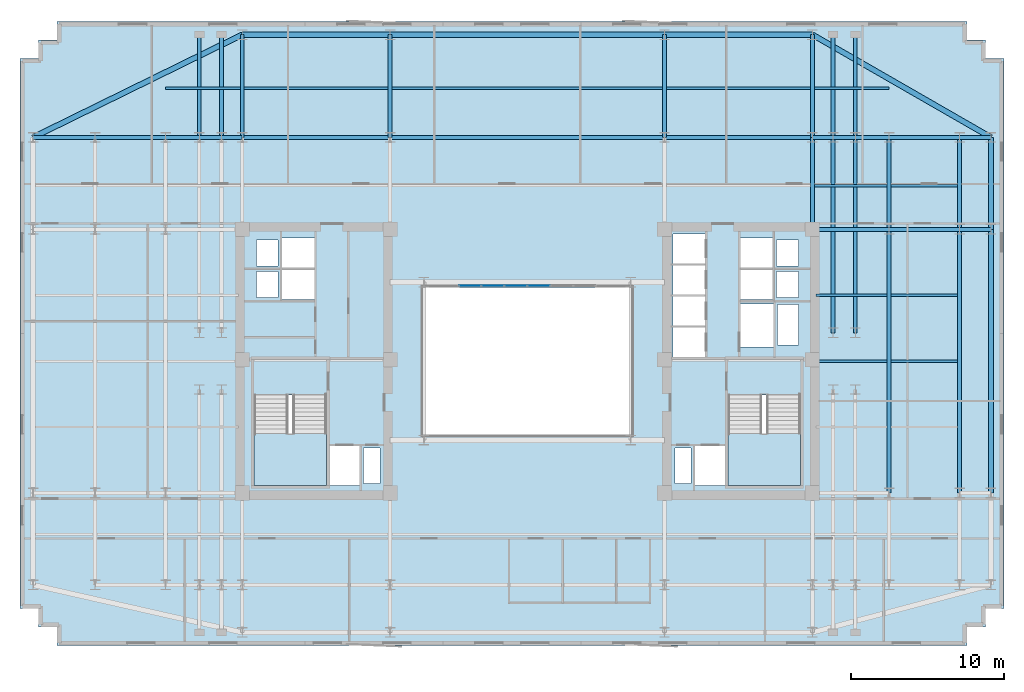
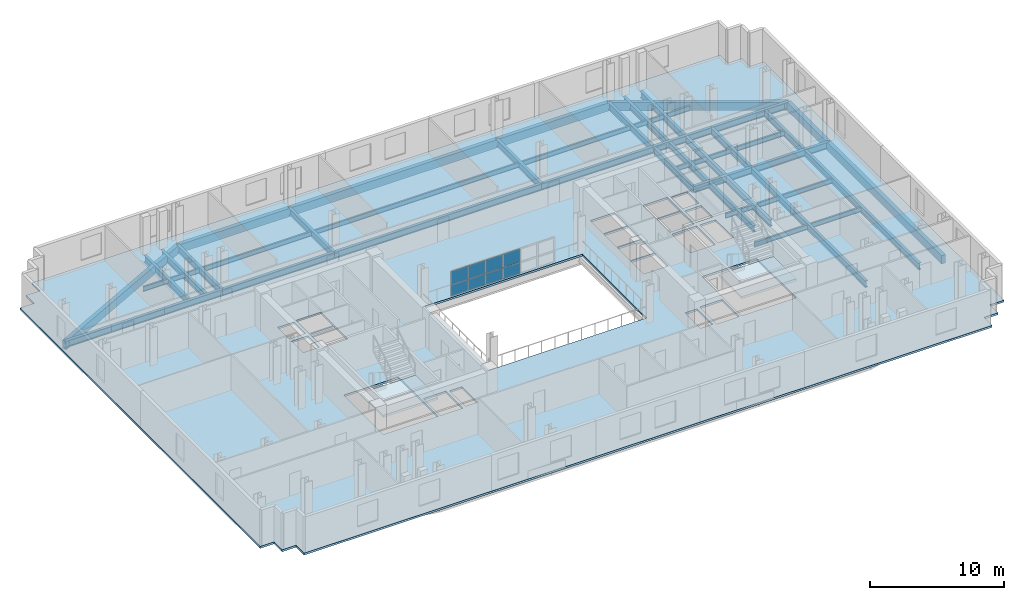
# One storey, part 5 of 12: 45 beams, 8 plates, 3 slabs, 3 elements without a shape of their own.
"""IFC4 building model written with IfcOpenShell, lengths in metres."""

import ifcopenshell
import ifcopenshell.guid

model = None  # the IFC model being written
_history = None  # IfcOwnerHistory: only IFC2X3 demands one
_inside = {}  # id of a spatial element -> (the spatial element, [elements in it])
_under = {}  # id of a project, library or spatial element -> (it, [spatial elements below it])
_declared = {}  # id of a project -> (the project, [libraries it declares])
_typed = {}  # id of a type object -> (the type object, [elements of that type])
_made_of = {}  # id of a material, layer set ... -> (it, [elements and type objects made of it])


def new_model(schema):
    """Start an empty IFC model of exactly this schema.

    Asked for "IFC4X3", IfcOpenShell would pick the latest addendum, in which some entities
    have other attributes; the version numbers below select the first issue.
    IFC2X3 requires an IfcOwnerHistory on every rooted entity: one is made here for all.
    """
    global model, _history
    if schema == "IFC4X3":
        model = ifcopenshell.file(schema_version=(4, 3, 0, 0))
    else:
        model = ifcopenshell.file(schema=schema)
    _inside.clear()
    _under.clear()
    _declared.clear()
    _typed.clear()
    _made_of.clear()
    _history = None
    if model.schema == "IFC2X3":
        org = make("IfcOrganization", Name="unknown")
        user = make(
            "IfcPersonAndOrganization",
            ThePerson=make("IfcPerson", FamilyName="unknown"),
            TheOrganization=org,
        )
        app = make(
            "IfcApplication",
            ApplicationDeveloper=org,
            Version="unknown",
            ApplicationFullName="unknown",
            ApplicationIdentifier="unknown",
        )
        _history = make(
            "IfcOwnerHistory",
            OwningUser=user,
            OwningApplication=app,
            ChangeAction="ADDED",
            CreationDate=0,
        )
    return model


def make(cls, **values):
    """One entity of the class cls with the attributes given. An attribute that is None is left unset."""
    return model.create_entity(
        cls, **{name: value for name, value in values.items() if value is not None}
    )


def rooted(cls, **values):
    """An entity with a GlobalId (a new one), such as an element, a storey or a relation."""
    return make(cls, GlobalId=ifcopenshell.guid.new(), OwnerHistory=_history, **values)


def si_unit(unit_type, name, prefix=None):
    """IfcSIUnit, for example si_unit("LENGTHUNIT", "METRE", prefix="MILLI")."""
    return make("IfcSIUnit", UnitType=unit_type, Prefix=prefix, Name=name)


def assignment(units):
    """IfcUnitAssignment: the units of a project."""
    return None if units is None else make("IfcUnitAssignment", Units=units)


def point(xyz):
    """IfcCartesianPoint."""
    return None if xyz is None else make("IfcCartesianPoint", Coordinates=xyz)


def direction(xyz):
    """IfcDirection."""
    return None if xyz is None else make("IfcDirection", DirectionRatios=xyz)


def frame(location, z_axis=None, x_axis=None):
    """IfcAxis2Placement3D, a coordinate frame: its origin and axes. An axis left out is left unset."""
    return make(
        "IfcAxis2Placement3D",
        Location=point(location),
        Axis=direction(z_axis),
        RefDirection=direction(x_axis),
    )


def frame_2d(location, x_axis=None):
    """IfcAxis2Placement2D, a coordinate frame in the plane: its origin and x axis."""
    return make(
        "IfcAxis2Placement2D", Location=point(location), RefDirection=direction(x_axis)
    )


def origin():
    """The frame at (0, 0, 0) with its axes left unset."""
    return frame((0.0, 0.0, 0.0))


def origin_2d():
    """The frame at (0, 0) in the plane with its x axis left unset."""
    return frame_2d((0.0, 0.0))


def place(relative_to, where):
    """IfcLocalPlacement: puts the frame where relative to a parent placement (None: the world)."""
    return make(
        "IfcLocalPlacement", PlacementRelTo=relative_to, RelativePlacement=where
    )


def context(
    kind, dimensions, precision=None, world=None, true_north=None, identifier=None
):
    """IfcGeometricRepresentationContext, for example the 3D "Model" context."""
    return make(
        "IfcGeometricRepresentationContext",
        ContextIdentifier=identifier,
        ContextType=kind,
        CoordinateSpaceDimension=dimensions,
        Precision=precision,
        WorldCoordinateSystem=world,
        TrueNorth=true_north,
    )


def subcontext(parent, identifier, kind, view, scale=None):
    """IfcGeometricRepresentationSubContext, for example "Body" below "Model"."""
    return make(
        "IfcGeometricRepresentationSubContext",
        ContextIdentifier=identifier,
        ContextType=kind,
        ParentContext=parent,
        TargetScale=scale,
        TargetView=view,
    )


def project(units=None, contexts=None):
    """IfcProject with its units and contexts."""
    return rooted(
        "IfcProject",
        Name="project",
        RepresentationContexts=contexts,
        UnitsInContext=assignment(units),
    )


def spatial(cls, under=None, at=None, **own):
    """A site, building, storey or space (cls), placed at a placement, below another one or the project."""
    s = rooted(cls, ObjectPlacement=at, **own)
    if under is not None:
        _under.setdefault(under.id(), (under, []))[1].append(s)
    return s


def polyline(points):
    """IfcPolyline through the points."""
    return make("IfcPolyline", Points=[point(p) for p in points])


def profile(cls, at=None, kind="AREA", **sizes):
    """A parametric profile (cls). Its sizes go by their IFC names, for example OverallWidth=200.0."""
    return make(cls, ProfileType=kind, Position=at, **sizes)


def rectangle(**sizes):
    """IfcRectangleProfileDef."""
    return profile("IfcRectangleProfileDef", **sizes)


def i_section(**sizes):
    """IfcIShapeProfileDef."""
    return profile("IfcIShapeProfileDef", **sizes)


def outline(outer, holes=None, kind="AREA"):
    """IfcArbitraryClosedProfileDef: a profile drawn as a closed curve; with holes, ...WithVoids."""
    if holes is None:
        return make("IfcArbitraryClosedProfileDef", ProfileType=kind, OuterCurve=outer)
    return make(
        "IfcArbitraryProfileDefWithVoids",
        ProfileType=kind,
        OuterCurve=outer,
        InnerCurves=holes,
    )


def extrude(swept, where, along, depth):
    """IfcExtrudedAreaSolid: the profile swept, set in the frame where, extruded along a direction by depth."""
    return make(
        "IfcExtrudedAreaSolid",
        SweptArea=swept,
        Position=where,
        ExtrudedDirection=direction(along),
        Depth=depth,
    )


def shape(context_of_items, identifier, shape_type, items):
    """IfcShapeRepresentation: the items that make up one representation, for example the "Body"."""
    return make(
        "IfcShapeRepresentation",
        ContextOfItems=context_of_items,
        RepresentationIdentifier=identifier,
        RepresentationType=shape_type,
        Items=items,
    )


def material(Name=None, Category=None):
    """IfcMaterial."""
    return make("IfcMaterial", Name=Name, Category=Category)


def layer(
    of_material, thickness, ventilated=None, Name=None, Category=None, Priority=None
):
    """IfcMaterialLayer: one layer of a wall or slab, of a material (None: an air gap)."""
    return make(
        "IfcMaterialLayer",
        Material=of_material,
        LayerThickness=thickness,
        IsVentilated=ventilated,
        Name=Name,
        Category=Category,
        Priority=Priority,
    )


def layer_set(layers, Name=None):
    """IfcMaterialLayerSet."""
    return make("IfcMaterialLayerSet", MaterialLayers=layers, LayerSetName=Name)


def material_profile(
    of_material, cross_section, Name=None, Category=None, Priority=None
):
    """IfcMaterialProfile: a cross section and its material."""
    return make(
        "IfcMaterialProfile",
        Name=Name,
        Material=of_material,
        Profile=cross_section,
        Priority=Priority,
        Category=Category,
    )


def profile_set(profiles, Name=None, composite=None):
    """IfcMaterialProfileSet."""
    return make(
        "IfcMaterialProfileSet",
        Name=Name,
        MaterialProfiles=profiles,
        CompositeProfile=composite,
    )


def made_of(thing, what):
    """Note that an element or type object is made of a material, layer set ...; save() writes the relation."""
    if what is not None:
        _made_of.setdefault(what.id(), (what, []))[1].append(thing)
    return thing


def type_object(cls, material=None, **own):
    """A type object (cls), such as IfcWallType, which elements share."""
    return made_of(rooted(cls, **own), material)


def element(
    cls,
    number,
    at=None,
    inside=None,
    cuts=None,
    type_object=None,
    material=None,
    context=None,
    identifier="Body",
    shape_type=None,
    held_by="IfcProductDefinitionShape",
    body=None,
    shapes=None,
    **own,
):
    """One element of the class cls, such as IfcWall. Its Tag is "e" and its number.

    at: its placement. inside: the storey or other place that contains it. cuts: it is an
    opening in that element (IfcRelVoidsElement). A single representation is given by context,
    identifier, shape_type and body (its items); several are given by shapes. held_by: the class
    of the entity that holds the representations. save() writes the other relations.
    """
    e = rooted(cls, Tag="e%d" % number, ObjectPlacement=at, **own)
    if body is not None:
        shapes = [shape(context, identifier, shape_type, body)]
    if shapes is not None:
        e.Representation = make(held_by, Representations=shapes)
    if inside is not None:
        _inside.setdefault(inside.id(), (inside, []))[1].append(e)
    if cuts is not None:
        rooted(
            "IfcRelVoidsElement", RelatingBuildingElement=cuts, RelatedOpeningElement=e
        )
    if type_object is not None:
        _typed.setdefault(type_object.id(), (type_object, []))[1].append(e)
    return made_of(e, material)


def aggregate(whole, parts):
    """IfcRelAggregates: a whole, such as a stair, and the parts it consists of."""
    return rooted("IfcRelAggregates", RelatingObject=whole, RelatedObjects=parts)


def save(model, path):
    """Write the relations noted so far, then the file.

    IfcRelAggregates (storeys below a building ...), IfcRelContainedInSpatialStructure (elements
    in a storey), IfcRelDefinesByType, IfcRelAssociatesMaterial and IfcRelDeclares: one each for
    every whole, place, type object, material and project.
    """
    for whole, parts in _under.values():
        aggregate(whole, parts)
    for where, things in _inside.values():
        rooted(
            "IfcRelContainedInSpatialStructure",
            RelatedElements=things,
            RelatingStructure=where,
        )
    for kind, things in _typed.values():
        rooted("IfcRelDefinesByType", RelatedObjects=things, RelatingType=kind)
    for what, things in _made_of.values():
        rooted("IfcRelAssociatesMaterial", RelatedObjects=things, RelatingMaterial=what)
    for by, libraries in _declared.values():
        rooted("IfcRelDeclares", RelatingContext=by, RelatedDefinitions=libraries)
    model.write(path)


model = new_model("IFC4")

# Units and contexts
model_context = context("Model", 3, precision=1e-05, world=origin(), true_north=direction((0.0, 1.0)))
body_context = subcontext(model_context, "Body", "Model", "MODEL_VIEW")
ifc_project = project(units=[si_unit("LENGTHUNIT", "METRE"), si_unit("AREAUNIT", "SQUARE_METRE"), si_unit("VOLUMEUNIT", "CUBIC_METRE"), si_unit("PLANEANGLEUNIT", "RADIAN"), si_unit("MASSUNIT", "GRAM", prefix="KILO")], contexts=[model_context])

# Site, building, storey
site_placement = place(None, origin())
site = spatial("IfcSite", under=ifc_project, at=site_placement, CompositionType="ELEMENT")
building_placement = place(site_placement, origin())
building = spatial("IfcBuilding", under=site, at=building_placement, Name="Velakula Bourse", CompositionType="ELEMENT")
storey_placement = place(building_placement, frame((0.0, 0.0, 148.449951171875)))
storey = spatial("IfcBuildingStorey", under=building, at=storey_placement, Name="L40", CompositionType="ELEMENT", Elevation=148.449951171875)

# Beams
ifc_material_1 = material(Name="Steel IS 2062 Grade 350 (E350)", Category="steel")
ifc_material_profile_1 = material_profile(ifc_material_1, i_section(OverallWidth=0.25, OverallDepth=0.60009765625, WebThickness=0.01123046875, FlangeThickness=0.021240234375, at=origin_2d()), Name="Steel IS 2062 Grade 350 (E350)")
ifc_profile_set_1 = profile_set([ifc_material_profile_1], Name="Steel IS 2062 Grade 350 (E350)")
beam_type_1 = type_object("IfcBeamType", Name="BM-GRD-600M", PredefinedType="BEAM", material=ifc_profile_set_1)
beam_1_placement = place(storey_placement, frame((18.60009765625, 8.60009765625, -0.47998046875), z_axis=(0.0, 1.0, 0.0), x_axis=(-1.0, 0.0, 0.0)))
element("IfcBeam", 1, at=beam_1_placement, inside=storey, type_object=beam_type_1, Name="L40 Fulcrum Grid Girder FLC-EN", PredefinedType="BEAM", context=body_context, shape_type="SweptSolid", body=[
    extrude(i_section(OverallWidth=0.25, OverallDepth=0.60009765625, WebThickness=0.01123046875, FlangeThickness=0.021240234375, at=origin_2d()), origin(), (0.0, 0.0, 1.0), 6.0),
])
beam_2_placement = place(storey_placement, frame((-18.60009765625, 14.60009765625, -0.47998046875), z_axis=(1.0, 0.0, 0.0), x_axis=(0.0, 1.0, 0.0)))
element("IfcBeam", 2, at=beam_2_placement, inside=storey, type_object=beam_type_1, Name="L40 Fulcrum Grid Girder FLC-N1", PredefinedType="BEAM", context=body_context, shape_type="SweptSolid", body=[
    extrude(i_section(OverallWidth=0.25, OverallDepth=0.60009765625, WebThickness=0.01123046875, FlangeThickness=0.021240234375, at=origin_2d()), origin(), (0.0, 0.0, 1.0), 9.650146484375),
])
beam_3_placement = place(storey_placement, frame((-8.949951171875, 14.60009765625, -0.47998046875), z_axis=(1.0, 0.0, 0.0), x_axis=(0.0, 1.0, 0.0)))
element("IfcBeam", 3, at=beam_3_placement, inside=storey, type_object=beam_type_1, Name="L40 Fulcrum Grid Girder FLC-N2", PredefinedType="BEAM", context=body_context, shape_type="SweptSolid", body=[
    extrude(i_section(OverallWidth=0.25, OverallDepth=0.60009765625, WebThickness=0.01123046875, FlangeThickness=0.021240234375, at=origin_2d()), origin(), (0.0, 0.0, 1.0), 17.89990234375),
])
beam_4_placement = place(storey_placement, frame((8.949951171875, 14.60009765625, -0.47998046875), z_axis=(1.0, 0.0, 0.0), x_axis=(0.0, 1.0, 0.0)))
element("IfcBeam", 4, at=beam_4_placement, inside=storey, type_object=beam_type_1, Name="L40 Fulcrum Grid Girder FLC-N3", PredefinedType="BEAM", context=body_context, shape_type="SweptSolid", body=[
    extrude(i_section(OverallWidth=0.25, OverallDepth=0.60009765625, WebThickness=0.01123046875, FlangeThickness=0.021240234375, at=origin_2d()), origin(), (0.0, 0.0, 1.0), 9.650146484375),
])
for number, where, z_axis, x_axis, name in (
    (5, (19.949951171875, 1.85009765625, -0.47998046875), (0.0, 1.0, 0.0), (-1.0, 0.0, 0.0), "L40 Fulcrum Grid Girder FLC-PNE1"),
    (6, (21.39990234375, 1.85009765625, -0.47998046875), (0.0, 1.0, 0.0), (-1.0, 0.0, 0.0), "L40 Fulcrum Grid Girder FLC-PNE2"),
):
    element("IfcBeam", number, at=place(storey_placement, frame(where, z_axis=z_axis, x_axis=x_axis)), inside=storey, type_object=beam_type_1, Name=name, PredefinedType="BEAM", context=body_context, shape_type="SweptSolid", body=[
        extrude(i_section(OverallWidth=0.25, OverallDepth=0.60009765625, WebThickness=0.01123046875, FlangeThickness=0.021240234375, at=origin_2d()), origin(), (0.0, 0.0, 1.0), 12.75),
    ])
for number, where, z_axis, x_axis, name in (
    (7, (-23.60009765625, 14.60009765625, -0.47998046875), (1.0, 0.0, 0.0), (0.0, 1.0, 0.0), "L40 Fulcrum Grid Girder MWG-WN2"),
    (8, (18.60009765625, 8.60009765625, -0.47998046875), (1.0, 0.0, 0.0), (0.0, 1.0, 0.0), "L40 Fulcrum Grid Girder MWG-EN1"),
    (9, (18.60009765625, 14.60009765625, -0.47998046875), (1.0, 0.0, 0.0), (0.0, 1.0, 0.0), "L40 Fulcrum Grid Girder MWG-EN2"),
):
    element("IfcBeam", number, at=place(storey_placement, frame(where, z_axis=z_axis, x_axis=x_axis)), inside=storey, type_object=beam_type_1, Name=name, PredefinedType="BEAM", context=body_context, shape_type="SweptSolid", body=[
        extrude(i_section(OverallWidth=0.25, OverallDepth=0.60009765625, WebThickness=0.01123046875, FlangeThickness=0.021240234375, at=origin_2d()), origin(), (0.0, 0.0, 1.0), 5.0),
    ])
beam_5_placement = place(storey_placement, frame((23.60009765625, -8.60009765625, -0.47998046875), z_axis=(0.0, 1.0, 0.0), x_axis=(-1.0, 0.0, 0.0)))
element("IfcBeam", 10, at=beam_5_placement, inside=storey, type_object=beam_type_1, Name="L40 Fulcrum Grid Girder MWG-ENS2", PredefinedType="BEAM", context=body_context, shape_type="SweptSolid", body=[
    extrude(i_section(OverallWidth=0.25, OverallDepth=0.60009765625, WebThickness=0.01123046875, FlangeThickness=0.021240234375, at=origin_2d()), origin(), (0.0, 0.0, 1.0), 17.2001953125),
])
beam_6_placement = place(storey_placement, frame((23.60009765625, 8.60009765625, -0.47998046875), z_axis=(0.0, 1.0, 0.0), x_axis=(-1.0, 0.0, 0.0)))
element("IfcBeam", 11, at=beam_6_placement, inside=storey, type_object=beam_type_1, Name="L40 Fulcrum Grid Girder MWG-ENS3", PredefinedType="BEAM", context=body_context, shape_type="SweptSolid", body=[
    extrude(i_section(OverallWidth=0.25, OverallDepth=0.60009765625, WebThickness=0.01123046875, FlangeThickness=0.021240234375, at=origin_2d()), origin(), (0.0, 0.0, 1.0), 6.0),
])
for number, where, z_axis, x_axis, name in (
    (12, (-28.199951171875, 14.60009765625, -0.47998046875), (1.0, 0.0, 0.0), (0.0, 1.0, 0.0), "L40 Fulcrum Grid Girder WNG-WN2"),
    (13, (23.60009765625, 8.60009765625, -0.47998046875), (1.0, 0.0, 0.0), (0.0, 1.0, 0.0), "L40 Fulcrum Grid Girder WNG-EN1"),
    (14, (23.60009765625, 14.60009765625, -0.47998046875), (1.0, 0.0, 0.0), (0.0, 1.0, 0.0), "L40 Fulcrum Grid Girder WNG-EN2"),
):
    element("IfcBeam", number, at=place(storey_placement, frame(where, z_axis=z_axis, x_axis=x_axis)), inside=storey, type_object=beam_type_1, Name=name, PredefinedType="BEAM", context=body_context, shape_type="SweptSolid", body=[
        extrude(i_section(OverallWidth=0.25, OverallDepth=0.60009765625, WebThickness=0.01123046875, FlangeThickness=0.021240234375, at=origin_2d()), origin(), (0.0, 0.0, 1.0), 4.599853515625),
    ])
beam_7_placement = place(storey_placement, frame((28.199951171875, -8.60009765625, -0.47998046875), z_axis=(0.0, 1.0, 0.0), x_axis=(-1.0, 0.0, 0.0)))
element("IfcBeam", 15, at=beam_7_placement, inside=storey, type_object=beam_type_1, Name="L40 Fulcrum Grid Girder WNG-ENS2", PredefinedType="BEAM", context=body_context, shape_type="SweptSolid", body=[
    extrude(i_section(OverallWidth=0.25, OverallDepth=0.60009765625, WebThickness=0.01123046875, FlangeThickness=0.021240234375, at=origin_2d()), origin(), (0.0, 0.0, 1.0), 17.2001953125),
])
beam_8_placement = place(storey_placement, frame((28.199951171875, 8.60009765625, -0.47998046875), z_axis=(0.0, 1.0, 0.0), x_axis=(-1.0, 0.0, 0.0)))
element("IfcBeam", 16, at=beam_8_placement, inside=storey, type_object=beam_type_1, Name="L40 Fulcrum Grid Girder WNG-ENS3", PredefinedType="BEAM", context=body_context, shape_type="SweptSolid", body=[
    extrude(i_section(OverallWidth=0.25, OverallDepth=0.60009765625, WebThickness=0.01123046875, FlangeThickness=0.021240234375, at=origin_2d()), origin(), (0.0, 0.0, 1.0), 6.0),
])
for number, where, z_axis, x_axis, name in (
    (17, (-18.60009765625, 14.60009765625, -0.47998046875), (0.0, 1.0, 0.0), (-1.0, 0.0, 0.0), "L40 Perimeter Tie Girder N1"),
    (18, (-8.949951171875, 14.60009765625, -0.47998046875), (0.0, 1.0, 0.0), (-1.0, 0.0, 0.0), "L40 Perimeter Tie Girder N2"),
    (19, (8.949951171875, 14.60009765625, -0.47998046875), (0.0, 1.0, 0.0), (-1.0, 0.0, 0.0), "L40 Perimeter Tie Girder N3"),
    (20, (18.60009765625, 14.60009765625, -0.47998046875), (0.0, 1.0, 0.0), (-1.0, 0.0, 0.0), "L40 Perimeter Tie Girder N4"),
):
    element("IfcBeam", number, at=place(storey_placement, frame(where, z_axis=z_axis, x_axis=x_axis)), inside=storey, type_object=beam_type_1, Name=name, PredefinedType="BEAM", context=body_context, shape_type="SweptSolid", body=[
        extrude(i_section(OverallWidth=0.25, OverallDepth=0.60009765625, WebThickness=0.01123046875, FlangeThickness=0.021240234375, at=origin_2d()), origin(), (0.0, 0.0, 1.0), 6.699951171875),
    ])
beam_9_placement = place(storey_placement, frame((-28.199951171875, 14.60009765625, -0.47998046875), z_axis=(-1.0, 0.0, 0.0), x_axis=(0.0, -1.0, 0.0)))
element("IfcBeam", 21, at=beam_9_placement, inside=storey, type_object=beam_type_1, Name="L40 Perimeter Tie Girder W4", PredefinedType="BEAM", context=body_context, shape_type="SweptSolid", body=[
    extrude(i_section(OverallWidth=0.25, OverallDepth=0.60009765625, WebThickness=0.01123046875, FlangeThickness=0.021240234375, at=origin_2d()), origin(), (0.0, 0.0, 1.0), 4.050048828125),
])
for number, where, z_axis, x_axis, name in (
    (22, (28.199951171875, 8.60009765625, -0.47998046875), (1.0, 0.0, 0.0), (0.0, 1.0, 0.0), "L40 Perimeter Tie Girder E3"),
    (23, (28.199951171875, 14.60009765625, -0.47998046875), (1.0, 0.0, 0.0), (0.0, 1.0, 0.0), "L40 Perimeter Tie Girder E4"),
):
    element("IfcBeam", number, at=place(storey_placement, frame(where, z_axis=z_axis, x_axis=x_axis)), inside=storey, type_object=beam_type_1, Name=name, PredefinedType="BEAM", context=body_context, shape_type="SweptSolid", body=[
        extrude(i_section(OverallWidth=0.25, OverallDepth=0.60009765625, WebThickness=0.01123046875, FlangeThickness=0.021240234375, at=origin_2d()), origin(), (0.0, 0.0, 1.0), 2.050048828125),
    ])
for number, where, z_axis, x_axis, name in (
    (24, (-21.39990234375, 14.60009765625, -0.47998046875), (0.0, 1.0, 0.0), (-1.0, 0.0, 0.0), "L40 Perimeter Tie Girder P05"),
    (25, (-19.949951171875, 14.60009765625, -0.47998046875), (0.0, 1.0, 0.0), (-1.0, 0.0, 0.0), "L40 Perimeter Tie Girder P06"),
    (26, (19.949951171875, 14.60009765625, -0.47998046875), (0.0, 1.0, 0.0), (-1.0, 0.0, 0.0), "L40 Perimeter Tie Girder P07"),
    (27, (21.39990234375, 14.60009765625, -0.47998046875), (0.0, 1.0, 0.0), (-1.0, 0.0, 0.0), "L40 Perimeter Tie Girder P08"),
):
    element("IfcBeam", number, at=place(storey_placement, frame(where, z_axis=z_axis, x_axis=x_axis)), inside=storey, type_object=beam_type_1, Name=name, PredefinedType="BEAM", context=body_context, shape_type="SweptSolid", body=[
        extrude(i_section(OverallWidth=0.25, OverallDepth=0.60009765625, WebThickness=0.01123046875, FlangeThickness=0.021240234375, at=origin_2d()), origin(), (0.0, 0.0, 1.0), 6.699951171875),
    ])
ifc_material_profile_2 = material_profile(ifc_material_1, i_section(OverallWidth=0.14990234375, OverallDepth=0.449951171875, WebThickness=0.009521484375, FlangeThickness=0.017333984375, at=origin_2d()), Name="Steel IS 2062 Grade 350 (E350)")
ifc_profile_set_2 = profile_set([ifc_material_profile_2], Name="Steel IS 2062 Grade 350 (E350)")
beam_type_2 = type_object("IfcBeamType", Name="JST-TWR-450", PredefinedType="JOIST", material=ifc_profile_set_2)
beam_10_placement = place(storey_placement, frame((18.72509765625, 11.449951171875, -0.405029296875), z_axis=(1.0, 0.0, 0.0), x_axis=(0.0, 1.0, 0.0)))
element("IfcBeam", 28, at=beam_10_placement, inside=storey, type_object=beam_type_2, Name="L40 Trading Floor Composite Joist 15", PredefinedType="JOIST", context=body_context, shape_type="SweptSolid", body=[
    extrude(i_section(OverallWidth=0.14990234375, OverallDepth=0.449951171875, WebThickness=0.009521484375, FlangeThickness=0.017333984375, at=origin_2d()), origin(), (0.0, 0.0, 1.0), 4.75),
])
beam_11_placement = place(storey_placement, frame((23.72509765625, 11.449951171875, -0.405029296875), z_axis=(1.0, 0.0, 0.0), x_axis=(0.0, 1.0, 0.0)))
element("IfcBeam", 29, at=beam_11_placement, inside=storey, type_object=beam_type_2, Name="L40 Trading Floor Composite Joist 16", PredefinedType="JOIST", context=body_context, shape_type="SweptSolid", body=[
    extrude(i_section(OverallWidth=0.14990234375, OverallDepth=0.449951171875, WebThickness=0.009521484375, FlangeThickness=0.017333984375, at=origin_2d()), origin(), (0.0, 0.0, 1.0), 4.349853515625),
])
beam_12_placement = place(storey_placement, frame((-23.60009765625, 17.800048828125, -0.405029296875), z_axis=(1.0, 0.0, 0.0), x_axis=(0.0, 1.0, 0.0)))
element("IfcBeam", 30, at=beam_12_placement, inside=storey, type_object=beam_type_2, Name="L40 Trading Floor Composite Joist 17", PredefinedType="JOIST", context=body_context, shape_type="SweptSolid", body=[
    extrude(i_section(OverallWidth=0.14990234375, OverallDepth=0.449951171875, WebThickness=0.009521484375, FlangeThickness=0.017333984375, at=origin_2d()), origin(), (0.0, 0.0, 1.0), 4.875),
])
beam_13_placement = place(storey_placement, frame((-18.47509765625, 17.800048828125, -0.405029296875), z_axis=(1.0, 0.0, 0.0), x_axis=(0.0, 1.0, 0.0)))
element("IfcBeam", 31, at=beam_13_placement, inside=storey, type_object=beam_type_2, Name="L40 Trading Floor Composite Joist 18", PredefinedType="JOIST", context=body_context, shape_type="SweptSolid", body=[
    extrude(i_section(OverallWidth=0.14990234375, OverallDepth=0.449951171875, WebThickness=0.009521484375, FlangeThickness=0.017333984375, at=origin_2d()), origin(), (0.0, 0.0, 1.0), 9.400146484375),
])
beam_14_placement = place(storey_placement, frame((-8.824951171875, 17.800048828125, -0.405029296875), z_axis=(1.0, 0.0, 0.0), x_axis=(0.0, 1.0, 0.0)))
element("IfcBeam", 32, at=beam_14_placement, inside=storey, type_object=beam_type_2, Name="L40 Trading Floor Composite Joist 19", PredefinedType="JOIST", context=body_context, shape_type="SweptSolid", body=[
    extrude(i_section(OverallWidth=0.14990234375, OverallDepth=0.449951171875, WebThickness=0.009521484375, FlangeThickness=0.017333984375, at=origin_2d()), origin(), (0.0, 0.0, 1.0), 17.64990234375),
])
beam_15_placement = place(storey_placement, frame((9.074951171875, 17.800048828125, -0.405029296875), z_axis=(1.0, 0.0, 0.0), x_axis=(0.0, 1.0, 0.0)))
element("IfcBeam", 33, at=beam_15_placement, inside=storey, type_object=beam_type_2, Name="L40 Trading Floor Composite Joist 20", PredefinedType="JOIST", context=body_context, shape_type="SweptSolid", body=[
    extrude(i_section(OverallWidth=0.14990234375, OverallDepth=0.449951171875, WebThickness=0.009521484375, FlangeThickness=0.017333984375, at=origin_2d()), origin(), (0.0, 0.0, 1.0), 9.400146484375),
])
beam_16_placement = place(storey_placement, frame((18.72509765625, 17.800048828125, -0.405029296875), z_axis=(1.0, 0.0, 0.0), x_axis=(0.0, 1.0, 0.0)))
element("IfcBeam", 34, at=beam_16_placement, inside=storey, type_object=beam_type_2, Name="L40 Trading Floor Composite Joist 21", PredefinedType="JOIST", context=body_context, shape_type="SweptSolid", body=[
    extrude(i_section(OverallWidth=0.14990234375, OverallDepth=0.449951171875, WebThickness=0.009521484375, FlangeThickness=0.017333984375, at=origin_2d()), origin(), (0.0, 0.0, 1.0), 4.875),
])
beam_17_placement = place(storey_placement, frame((18.85009765625, 0.0, -0.405029296875), z_axis=(1.0, 0.0, 0.0), x_axis=(0.0, 1.0, 0.0)))
element("IfcBeam", 35, at=beam_17_placement, inside=storey, type_object=beam_type_2, Name="L40 Trading Floor Composite Joist 33", PredefinedType="JOIST", context=body_context, shape_type="SweptSolid", body=[
    extrude(i_section(OverallWidth=0.14990234375, OverallDepth=0.449951171875, WebThickness=0.009521484375, FlangeThickness=0.017333984375, at=origin_2d()), origin(), (0.0, 0.0, 1.0), 4.625),
])
beam_18_placement = place(storey_placement, frame((23.72509765625, 0.0, -0.405029296875), z_axis=(1.0, 0.0, 0.0), x_axis=(0.0, 1.0, 0.0)))
element("IfcBeam", 36, at=beam_18_placement, inside=storey, type_object=beam_type_2, Name="L40 Trading Floor Composite Joist 34", PredefinedType="JOIST", context=body_context, shape_type="SweptSolid", body=[
    extrude(i_section(OverallWidth=0.14990234375, OverallDepth=0.449951171875, WebThickness=0.009521484375, FlangeThickness=0.017333984375, at=origin_2d()), origin(), (0.0, 0.0, 1.0), 4.349853515625),
])
beam_19_placement = place(storey_placement, frame((18.85009765625, 4.300048828125, -0.405029296875), z_axis=(1.0, 0.0, 0.0), x_axis=(0.0, 1.0, 0.0)))
element("IfcBeam", 37, at=beam_19_placement, inside=storey, type_object=beam_type_2, Name="L40 Trading Floor Composite Joist 38", PredefinedType="JOIST", context=body_context, shape_type="SweptSolid", body=[
    extrude(i_section(OverallWidth=0.14990234375, OverallDepth=0.449951171875, WebThickness=0.009521484375, FlangeThickness=0.017333984375, at=origin_2d()), origin(), (0.0, 0.0, 1.0), 4.625),
])
beam_20_placement = place(storey_placement, frame((23.72509765625, 4.300048828125, -0.405029296875), z_axis=(1.0, 0.0, 0.0), x_axis=(0.0, 1.0, 0.0)))
element("IfcBeam", 38, at=beam_20_placement, inside=storey, type_object=beam_type_2, Name="L40 Trading Floor Composite Joist 39", PredefinedType="JOIST", context=body_context, shape_type="SweptSolid", body=[
    extrude(i_section(OverallWidth=0.14990234375, OverallDepth=0.449951171875, WebThickness=0.009521484375, FlangeThickness=0.017333984375, at=origin_2d()), origin(), (0.0, 0.0, 1.0), 4.349853515625),
])
ifc_material_2 = material(Name="Precast concrete M45 (fck 45 MPa)", Category="concrete")
ifc_material_profile_3 = material_profile(ifc_material_2, rectangle(XDim=0.35009765625, YDim=0.75, at=origin_2d()), Name="Precast concrete M45 (fck 45 MPa)")
ifc_profile_set_3 = profile_set([ifc_material_profile_3], Name="Precast concrete M45 (fck 45 MPa)")
beam_type_3 = type_object("IfcBeamType", Name="SPN-BRICK-750", PredefinedType="SPANDREL", material=ifc_profile_set_3)
beam_21_placement = place(storey_placement, frame((-18.60009765625, 21.300048828125, -0.554931640625), z_axis=(1.0, 0.0, 0.0), x_axis=(0.0, 1.0, 0.0)))
element("IfcBeam", 39, at=beam_21_placement, inside=storey, type_object=beam_type_3, Name="L40 Brick-Faced Precast Spandrel N1-N2", PredefinedType="SPANDREL", context=body_context, shape_type="SweptSolid", body=[
    extrude(rectangle(XDim=0.35009765625, YDim=0.75, at=origin_2d()), origin(), (0.0, 0.0, 1.0), 9.650146484375),
])
beam_22_placement = place(storey_placement, frame((-8.949951171875, 21.300048828125, -0.554931640625), z_axis=(1.0, 0.0, 0.0), x_axis=(0.0, 1.0, 0.0)))
element("IfcBeam", 40, at=beam_22_placement, inside=storey, type_object=beam_type_3, Name="L40 Brick-Faced Precast Spandrel N2-N3", PredefinedType="SPANDREL", context=body_context, shape_type="SweptSolid", body=[
    extrude(rectangle(XDim=0.35009765625, YDim=0.75, at=origin_2d()), origin(), (0.0, 0.0, 1.0), 17.89990234375),
])
beam_23_placement = place(storey_placement, frame((8.949951171875, 21.300048828125, -0.554931640625), z_axis=(1.0, 0.0, 0.0), x_axis=(0.0, 1.0, 0.0)))
element("IfcBeam", 41, at=beam_23_placement, inside=storey, type_object=beam_type_3, Name="L40 Brick-Faced Precast Spandrel N3-N4", PredefinedType="SPANDREL", context=body_context, shape_type="SweptSolid", body=[
    extrude(rectangle(XDim=0.35009765625, YDim=0.75, at=origin_2d()), origin(), (0.0, 0.0, 1.0), 9.650146484375),
])
beam_24_placement = place(storey_placement, frame((30.25, -8.60009765625, -0.554931640625), z_axis=(0.0, 1.0, 0.0), x_axis=(-1.0, 0.0, 0.0)))
element("IfcBeam", 42, at=beam_24_placement, inside=storey, type_object=beam_type_3, Name="L40 Brick-Faced Precast Spandrel E2-E3", PredefinedType="SPANDREL", context=body_context, shape_type="SweptSolid", body=[
    extrude(rectangle(XDim=0.35009765625, YDim=0.75, at=origin_2d()), origin(), (0.0, 0.0, 1.0), 17.2001953125),
])
beam_25_placement = place(storey_placement, frame((30.25, 8.60009765625, -0.554931640625), z_axis=(0.0, 1.0, 0.0), x_axis=(-1.0, 0.0, 0.0)))
element("IfcBeam", 43, at=beam_25_placement, inside=storey, type_object=beam_type_3, Name="L40 Brick-Faced Precast Spandrel E3-E4", PredefinedType="SPANDREL", context=body_context, shape_type="SweptSolid", body=[
    extrude(rectangle(XDim=0.35009765625, YDim=0.75, at=origin_2d()), origin(), (0.0, 0.0, 1.0), 6.0),
])
beam_26_placement = place(storey_placement, frame((30.25, 14.60009765625, -0.554931640625), z_axis=(-0.866865871572, 0.498541433286, 0.0), x_axis=(-0.498541433286, -0.866865871572, 0.0)))
element("IfcBeam", 44, at=beam_26_placement, inside=storey, type_object=beam_type_3, Name="L40 Brick-Faced Precast Spandrel E4-N4", PredefinedType="SPANDREL", context=body_context, shape_type="SweptSolid", body=[
    extrude(rectangle(XDim=0.35009765625, YDim=0.75, at=origin_2d()), origin(), (0.0, 0.0, 1.0), 13.439208984375),
])
beam_27_placement = place(storey_placement, frame((-18.60009765625, 21.300048828125, -0.554931640625), z_axis=(-0.897691282679, -0.440624966385, 0.0), x_axis=(0.440624966385, -0.897691282679, 0.0)))
element("IfcBeam", 45, at=beam_27_placement, inside=storey, type_object=beam_type_3, Name="L40 Brick-Faced Precast Spandrel N1-W4", PredefinedType="SPANDREL", context=body_context, shape_type="SweptSolid", body=[
    extrude(rectangle(XDim=0.35009765625, YDim=0.75, at=origin_2d()), origin(), (0.0, 0.0, 1.0), 15.20556640625),
])

# Curtain wall, plates
ifc_material_3 = material(Name="Anodised bronze architectural aluminium", Category="aluminium")
ifc_layer_1 = layer(ifc_material_3, 0.14990234375, Name="Anodised bronze architectural aluminium", Category="aluminium")
ifc_layer_set_1 = layer_set([ifc_layer_1], Name="Anodised bronze architectural aluminium")
curtain_wall_type = type_object("IfcCurtainWallType", Name="CW-AT1", PredefinedType="NOTDEFINED", material=ifc_layer_set_1)
curtain_wall_placement = place(storey_placement, origin())
curtain_wall = element("IfcCurtainWall", 46, at=curtain_wall_placement, inside=storey, type_object=curtain_wall_type, Name="L40 Central Trading Atrium Fire-Rated Glazed Screen", PredefinedType="NOTDEFINED")
ifc_material_4 = material(Name="Fire-resistant EI 120 laminated glazing", Category="glass")
ifc_layer_2 = layer(ifc_material_4, 0.02392578125, Name="Fire-resistant EI 120 laminated glazing", Category="glass")
ifc_layer_set_2 = layer_set([ifc_layer_2], Name="Fire-resistant EI 120 laminated glazing")
plate_type = type_object("IfcPlateType", Name="PNL-CW-AT1", PredefinedType="CURTAIN_PANEL", material=ifc_layer_set_2)
plate_1_placement = place(storey_placement, frame((-3.735107421875, 4.919921875, 0.06005859375), z_axis=(0.0, 0.0, 1.0), x_axis=(1.0, 0.0, 0.0)))
plate_1 = element("IfcPlate", 47, at=plate_1_placement, type_object=plate_type, Name="CW-AT1 panel 1.1", PredefinedType="CURTAIN_PANEL", context=body_context, shape_type="SweptSolid", body=[
    extrude(rectangle(XDim=1.409912109375, YDim=0.028076171875, at=origin_2d()), origin(), (0.0, 0.0, 1.0), 0.965087890625),
])
plate_2_placement = place(storey_placement, frame((-3.735107421875, 4.919921875, 1.085205078125), z_axis=(0.0, 0.0, 1.0), x_axis=(1.0, 0.0, 0.0)))
plate_2 = element("IfcPlate", 48, at=plate_2_placement, type_object=plate_type, Name="CW-AT1 panel 1.2", PredefinedType="CURTAIN_PANEL", context=body_context, shape_type="SweptSolid", body=[
    extrude(rectangle(XDim=1.409912109375, YDim=0.028076171875, at=origin_2d()), origin(), (0.0, 0.0, 1.0), 1.19970703125),
])
plate_3_placement = place(storey_placement, frame((-2.25, 4.919921875, 0.06005859375), z_axis=(0.0, 0.0, 1.0), x_axis=(1.0, 0.0, 0.0)))
plate_3 = element("IfcPlate", 49, at=plate_3_placement, type_object=plate_type, Name="CW-AT1 panel 2.1", PredefinedType="CURTAIN_PANEL", context=body_context, shape_type="SweptSolid", body=[
    extrude(rectangle(XDim=1.43994140625, YDim=0.028076171875, at=origin_2d()), origin(), (0.0, 0.0, 1.0), 0.965087890625),
])
plate_4_placement = place(storey_placement, frame((-2.25, 4.919921875, 1.085205078125), z_axis=(0.0, 0.0, 1.0), x_axis=(1.0, 0.0, 0.0)))
plate_4 = element("IfcPlate", 50, at=plate_4_placement, type_object=plate_type, Name="CW-AT1 panel 2.2", PredefinedType="CURTAIN_PANEL", context=body_context, shape_type="SweptSolid", body=[
    extrude(rectangle(XDim=1.43994140625, YDim=0.028076171875, at=origin_2d()), origin(), (0.0, 0.0, 1.0), 1.19970703125),
])
plate_5_placement = place(storey_placement, frame((-0.75, 4.919921875, 0.06005859375), z_axis=(0.0, 0.0, 1.0), x_axis=(1.0, 0.0, 0.0)))
plate_5 = element("IfcPlate", 51, at=plate_5_placement, type_object=plate_type, Name="CW-AT1 panel 3.1", PredefinedType="CURTAIN_PANEL", context=body_context, shape_type="SweptSolid", body=[
    extrude(rectangle(XDim=1.43994140625, YDim=0.028076171875, at=origin_2d()), origin(), (0.0, 0.0, 1.0), 0.965087890625),
])
plate_6_placement = place(storey_placement, frame((-0.75, 4.919921875, 1.085205078125), z_axis=(0.0, 0.0, 1.0), x_axis=(1.0, 0.0, 0.0)))
plate_6 = element("IfcPlate", 52, at=plate_6_placement, type_object=plate_type, Name="CW-AT1 panel 3.2", PredefinedType="CURTAIN_PANEL", context=body_context, shape_type="SweptSolid", body=[
    extrude(rectangle(XDim=1.43994140625, YDim=0.028076171875, at=origin_2d()), origin(), (0.0, 0.0, 1.0), 1.19970703125),
])
plate_7_placement = place(storey_placement, frame((0.75, 4.919921875, 0.06005859375), z_axis=(0.0, 0.0, 1.0), x_axis=(1.0, 0.0, 0.0)))
plate_7 = element("IfcPlate", 53, at=plate_7_placement, type_object=plate_type, Name="CW-AT1 panel 4.1", PredefinedType="CURTAIN_PANEL", context=body_context, shape_type="SweptSolid", body=[
    extrude(rectangle(XDim=1.43994140625, YDim=0.028076171875, at=origin_2d()), origin(), (0.0, 0.0, 1.0), 0.965087890625),
])
plate_8_placement = place(storey_placement, frame((0.75, 4.919921875, 1.085205078125), z_axis=(0.0, 0.0, 1.0), x_axis=(1.0, 0.0, 0.0)))
plate_8 = element("IfcPlate", 54, at=plate_8_placement, type_object=plate_type, Name="CW-AT1 panel 4.2", PredefinedType="CURTAIN_PANEL", context=body_context, shape_type="SweptSolid", body=[
    extrude(rectangle(XDim=1.43994140625, YDim=0.028076171875, at=origin_2d()), origin(), (0.0, 0.0, 1.0), 1.19970703125),
])
aggregate(curtain_wall, [plate_1, plate_2, plate_3, plate_4, plate_5, plate_6, plate_7, plate_8])

# Stair, slab
ifc_material_5 = material(Name="Concrete M45 (fck 45 MPa)", Category="concrete")
stair_type = type_object("IfcStairType", Name="STR-DOG-390", PredefinedType="HALF_TURN_STAIR", material=ifc_material_5)
stair_1_placement = place(storey_placement, origin())
stair_1 = element("IfcStair", 55, at=stair_1_placement, inside=storey, type_object=stair_type, Name="L40 West Core Exit Stair ST-W1", PredefinedType="HALF_TURN_STAIR")
ifc_layer_3 = layer(ifc_material_5, 0.199951171875, Name="Concrete M45 (fck 45 MPa)", Category="concrete")
ifc_layer_set_3 = layer_set([ifc_layer_3], Name="Concrete M45 (fck 45 MPa)")
slab_type_1 = type_object("IfcSlabType", Name="SLB-STAIR-LND-200", PredefinedType="LANDING", material=ifc_layer_set_3)
slab_1_placement = place(storey_placement, frame((0.0, 0.0, 1.525146484375)))
slab_1 = element("IfcSlab", 56, at=slab_1_placement, type_object=slab_type_1, Name="ST-W1 landing 1", PredefinedType="LANDING", context=body_context, shape_type="SweptSolid", body=[
    extrude(outline(polyline([(-17.820068359375, -4.719970703125), (-17.820068359375, -8.10009765625), (-13.10009765625, -8.10009765625), (-13.10009765625, -4.719970703125), (-17.820068359375, -4.719970703125)])), origin(), (0.0, 0.0, 1.0), 0.199951171875),
])
aggregate(stair_1, [slab_1])

stair_2_placement = place(storey_placement, origin())
stair_2 = element("IfcStair", 57, at=stair_2_placement, inside=storey, type_object=stair_type, Name="L40 East Core Exit Stair ST-E1", PredefinedType="HALF_TURN_STAIR")
slab_2_placement = place(storey_placement, frame((0.0, 0.0, 1.525146484375)))
slab_2 = element("IfcSlab", 58, at=slab_2_placement, type_object=slab_type_1, Name="ST-E1 landing 1", PredefinedType="LANDING", context=body_context, shape_type="SweptSolid", body=[
    extrude(outline(polyline([(13.10009765625, -4.719970703125), (13.10009765625, -8.10009765625), (17.820068359375, -8.10009765625), (17.820068359375, -4.719970703125), (13.10009765625, -4.719970703125)])), origin(), (0.0, 0.0, 1.0), 0.199951171875),
])
aggregate(stair_2, [slab_2])

# Slab
ifc_material_6 = material(Name="Concrete M50 (fck 50 MPa)", Category="concrete")
ifc_layer_4 = layer(ifc_material_6, 0.179931640625, Name="Concrete M50 (fck 50 MPa)", Category="concrete")
ifc_layer_set_4 = layer_set([ifc_layer_4], Name="Concrete M50 (fck 50 MPa)")
slab_type_2 = type_object("IfcSlabType", Name="SLB-TWR-180", PredefinedType="FLOOR", material=ifc_layer_set_4)
slab_3_placement = place(storey_placement, frame((0.0, 0.0, -0.179931640625)))
element("IfcSlab", 59, at=slab_3_placement, inside=storey, type_object=slab_type_2, Name="L40 Suspended Structural Floor Slab", PredefinedType="FLOOR", context=body_context, shape_type="SweptSolid", body=[
    extrude(outline(polyline([(-30.699951171875, -18.550048828125), (28.699951171875, -18.550048828125), (28.699951171875, -17.35009765625), (29.89990234375, -17.35009765625), (29.89990234375, -16.14990234375), (31.10009765625, -16.14990234375), (31.10009765625, 19.75), (29.89990234375, 19.75), (29.89990234375, 20.949951171875), (28.699951171875, 20.949951171875), (28.699951171875, 22.14990234375), (-30.699951171875, 22.14990234375), (-30.699951171875, 20.949951171875), (-31.89990234375, 20.949951171875), (-31.89990234375, 19.75), (-33.10009765625, 19.75), (-33.10009765625, -16.14990234375), (-31.89990234375, -16.14990234375), (-31.89990234375, -17.35009765625), (-30.699951171875, -17.35009765625), (-30.699951171875, -18.550048828125)]), holes=[polyline([(-17.820068359375, -8.10009765625), (-13.10009765625, -8.10009765625), (-13.10009765625, -2.199951171875), (-17.820068359375, -2.199951171875), (-17.820068359375, -8.10009765625)]), polyline([(13.10009765625, -8.10009765625), (17.820068359375, -8.10009765625), (17.820068359375, -2.199951171875), (13.10009765625, -2.199951171875), (13.10009765625, -8.10009765625)]), polyline([(-12.89990234375, -8.10009765625), (-10.949951171875, -8.10009765625), (-10.949951171875, -5.550048828125), (-12.89990234375, -5.550048828125), (-12.89990234375, -8.10009765625)]), polyline([(10.949951171875, -8.10009765625), (12.89990234375, -8.10009765625), (12.89990234375, -5.550048828125), (10.949951171875, -5.550048828125), (10.949951171875, -8.10009765625)]), polyline([(13.89990234375, 0.919921875), (16.050048828125, 0.919921875), (16.050048828125, 3.719970703125), (13.89990234375, 3.719970703125), (13.89990234375, 0.919921875)]), polyline([(-10.679931640625, -7.97998046875), (-9.6201171875, -7.97998046875), (-9.6201171875, -5.669921875), (-10.679931640625, -5.669921875), (-10.679931640625, -7.97998046875)]), polyline([(-17.679931640625, 4.139892578125), (-16.27001953125, 4.139892578125), (-16.27001953125, 5.85009765625), (-17.679931640625, 5.85009765625), (-17.679931640625, 4.139892578125)]), polyline([(-17.679931640625, 6.2099609375), (-16.27001953125, 6.2099609375), (-16.27001953125, 7.919921875), (-17.679931640625, 7.919921875), (-17.679931640625, 6.2099609375)]), polyline([(9.6201171875, -7.97998046875), (10.679931640625, -7.97998046875), (10.679931640625, -5.669921875), (9.6201171875, -5.669921875), (9.6201171875, -7.97998046875)]), polyline([(16.27001953125, 4.139892578125), (17.679931640625, 4.139892578125), (17.679931640625, 5.85009765625), (16.27001953125, 5.85009765625), (16.27001953125, 4.139892578125)]), polyline([(16.27001953125, 6.2099609375), (17.679931640625, 6.2099609375), (17.679931640625, 7.919921875), (16.27001953125, 7.919921875), (16.27001953125, 6.2099609375)]), polyline([(16.320068359375, 1.0400390625), (17.679931640625, 1.0400390625), (17.679931640625, 3.699951171875), (16.320068359375, 3.699951171875), (16.320068359375, 1.0400390625)]), polyline([(9.5, 0.280029296875), (11.60009765625, 0.280029296875), (11.60009765625, 2.199951171875), (9.5, 2.199951171875), (9.5, 0.280029296875)]), polyline([(9.5, 2.31005859375), (11.60009765625, 2.31005859375), (11.60009765625, 4.22998046875), (9.5, 4.22998046875), (9.5, 2.31005859375)]), polyline([(9.5, 4.340087890625), (11.60009765625, 4.340087890625), (11.60009765625, 6.260009765625), (9.5, 6.260009765625), (9.5, 4.340087890625)]), polyline([(9.5, 6.3701171875), (11.60009765625, 6.3701171875), (11.60009765625, 8.2900390625), (9.5, 8.2900390625), (9.5, 6.3701171875)]), polyline([(-16.0, 4.02001953125), (-13.89990234375, 4.02001953125), (-13.89990234375, 5.969970703125), (-16.0, 5.969970703125), (-16.0, 4.02001953125)]), polyline([(-16.0, 6.090087890625), (-13.89990234375, 6.090087890625), (-13.89990234375, 8.0400390625), (-16.0, 8.0400390625), (-16.0, 6.090087890625)]), polyline([(13.89990234375, 4.02001953125), (16.0, 4.02001953125), (16.0, 5.969970703125), (13.89990234375, 5.969970703125), (13.89990234375, 4.02001953125)]), polyline([(13.89990234375, 6.090087890625), (16.0, 6.090087890625), (16.0, 8.0400390625), (13.89990234375, 8.0400390625), (13.89990234375, 6.090087890625)]), polyline([(-6.800048828125, -4.800048828125), (6.800048828125, -4.800048828125), (6.800048828125, 4.800048828125), (-6.800048828125, 4.800048828125), (-6.800048828125, -4.800048828125)])]), origin(), (0.0, 0.0, 1.0), 0.179931640625),
])

save(model, "model.ifc")
